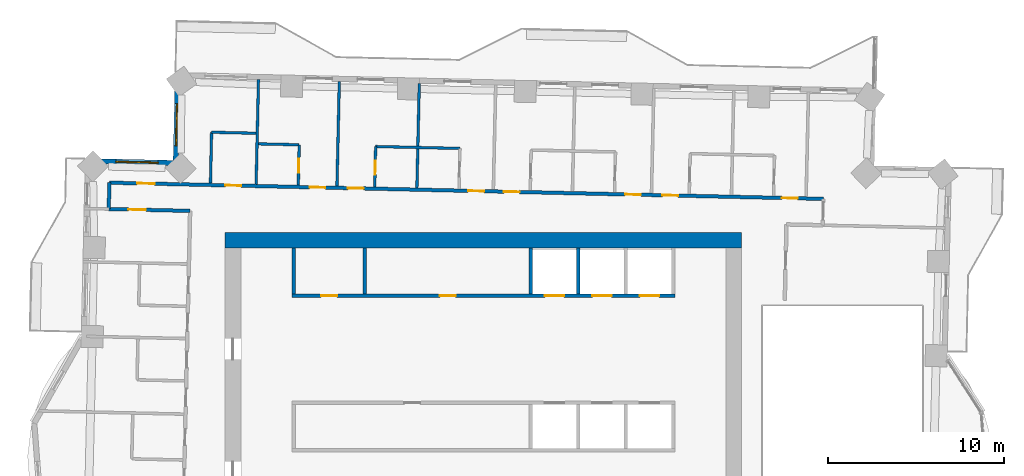
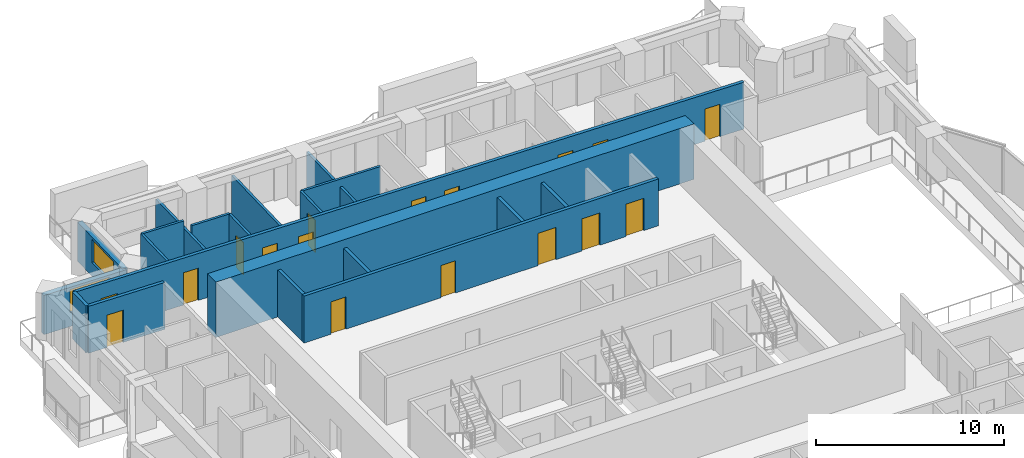
# One storey, part 8 of 14: 20 walls, 17 doors, 2 windows, 19 openings.
"""IFC4 building model written with IfcOpenShell, lengths in metres."""

from ifc_helpers import new_model, si_unit, direction, frame, frame_2d, origin, place, context, subcontext, project, spatial, rectangle, extrude, material, layer, layer_set, type_object, element, fill, save


model = new_model("IFC4")

# Units and contexts
model_context = context("Model", 3, precision=1e-05, world=origin(), true_north=direction((0.0, 1.0)))
body_context = subcontext(model_context, "Body", "Model", "MODEL_VIEW")
ifc_project = project(units=[si_unit("LENGTHUNIT", "METRE"), si_unit("AREAUNIT", "SQUARE_METRE"), si_unit("VOLUMEUNIT", "CUBIC_METRE"), si_unit("PLANEANGLEUNIT", "RADIAN"), si_unit("MASSUNIT", "GRAM", prefix="KILO")], contexts=[model_context])

# Site, building, storey
site_placement = place(None, origin())
site = spatial("IfcSite", under=ifc_project, at=site_placement, CompositionType="ELEMENT")
building_placement = place(site_placement, origin())
building = spatial("IfcBuilding", under=site, at=building_placement, Name="Mangrove Gate Tower", CompositionType="ELEMENT")
storey_placement = place(building_placement, frame((0.0, 0.0, 167.10009765625)))
storey = spatial("IfcBuildingStorey", under=building, at=storey_placement, Name="L42", CompositionType="ELEMENT", Elevation=167.10009765625)

# Walls
ifc_material_1 = material(Name="Concrete C32/40", Category="concrete")
ifc_layer_1 = layer(ifc_material_1, 0.199951171875)
ifc_layer_set_1 = layer_set([ifc_layer_1], Name="Core room wall 200 C32/40")
wall_type_1 = type_object("IfcWallType", Name="Core room wall 200 C32/40", PredefinedType="STANDARD", material=ifc_layer_set_1)
for number, where, z_axis, x_axis, name in (
    (1, (-10.800048828125, 8.199951171875, 0.0), (0.0, 0.0, 1.0), (0.0, 1.0, 0.0), "WALL-L42-CORE-24"),
    (2, (-6.75, 8.199951171875, 0.0), (0.0, 0.0, 1.0), (0.0, 1.0, 0.0), "WALL-L42-CORE-25"),
):
    element("IfcWall", number, at=place(storey_placement, frame(where, z_axis=z_axis, x_axis=x_axis)), inside=storey, type_object=wall_type_1, Name=name, PredefinedType="STANDARD", context=body_context, shape_type="SweptSolid", body=[
        extrude(rectangle(XDim=2.60009765625, YDim=0.199951171875, at=frame_2d((1.300048828125, 0.0))), origin(), (0.0, 0.0, 1.0), 3.0498046875),
    ])

# Wall, openings, doors
ifc_material_2 = material(Name="Concrete C60/75", Category="concrete")
ifc_layer_2 = layer(ifc_material_2, 0.199951171875)
ifc_layer_set_2 = layer_set([ifc_layer_2], Name="Core shaft wall 200 C60/75")
wall_type_2 = type_object("IfcWallType", Name="Core shaft wall 200 C60/75", PredefinedType="SHEAR", material=ifc_layer_set_2)
wall_1_placement = place(storey_placement, frame((-10.89990234375, 8.10009765625, 0.0), z_axis=(0.0, 0.0, 1.0), x_axis=(1.0, 0.0, 0.0)))
wall_1 = element("IfcWall", 3, at=wall_1_placement, inside=storey, type_object=wall_type_2, Name="WALL-L42-CORE-8", PredefinedType="SHEAR", context=body_context, shape_type="SweptSolid", body=[
    extrude(rectangle(XDim=21.7998046875, YDim=0.199951171875, at=frame_2d((10.89990234375, 0.0))), origin(), (0.0, 0.0, 1.0), 3.0498046875),
])
opening_1_placement = place(wall_1_placement, frame((14.39990234375, 0.0, 0.0)))
opening_1 = element("IfcOpeningElement", 4, at=opening_1_placement, cuts=wall_1, Name="Opening LD", PredefinedType="OPENING", context=body_context, shape_type="SweptSolid", body=[
    extrude(rectangle(XDim=1.10009765625, YDim=2.10009765625, at=frame_2d((0.550048828125, 1.050048828125))), frame((0.0, 0.10986328125, 0.0), z_axis=(0.0, -1.0, 0.0), x_axis=(1.0, 0.0, 0.0)), (0.0, 0.0, 1.0), 0.219970703125),
])
opening_2_placement = place(wall_1_placement, frame((17.10009765625, 0.0, 0.0)))
opening_2 = element("IfcOpeningElement", 5, at=opening_2_placement, cuts=wall_1, Name="Opening LD", PredefinedType="OPENING", context=body_context, shape_type="SweptSolid", body=[
    extrude(rectangle(XDim=1.10009765625, YDim=2.10009765625, at=frame_2d((0.550048828125, 1.050048828125))), frame((0.0, 0.10986328125, 0.0), z_axis=(0.0, -1.0, 0.0), x_axis=(1.0, 0.0, 0.0)), (0.0, 0.0, 1.0), 0.219970703125),
])
opening_3_placement = place(wall_1_placement, frame((19.800048828125, 0.0, 0.0)))
opening_3 = element("IfcOpeningElement", 6, at=opening_3_placement, cuts=wall_1, Name="Opening LD", PredefinedType="OPENING", context=body_context, shape_type="SweptSolid", body=[
    extrude(rectangle(XDim=1.10009765625, YDim=2.10009765625, at=frame_2d((0.550048828125, 1.050048828125))), frame((0.0, 0.10986328125, 0.0), z_axis=(0.0, -1.0, 0.0), x_axis=(1.0, 0.0, 0.0)), (0.0, 0.0, 1.0), 0.219970703125),
])
opening_4_placement = place(wall_1_placement, frame((1.675048828125, 0.0, 0.0)))
opening_4 = element("IfcOpeningElement", 7, at=opening_4_placement, cuts=wall_1, Name="Opening KD", PredefinedType="OPENING", context=body_context, shape_type="SweptSolid", body=[
    extrude(rectangle(XDim=0.89990234375, YDim=2.10009765625, at=frame_2d((0.449951171875, 1.050048828125))), frame((0.0, 0.10986328125, 0.0), z_axis=(0.0, -1.0, 0.0), x_axis=(1.0, 0.0, 0.0)), (0.0, 0.0, 1.0), 0.219970703125),
])
opening_5_placement = place(wall_1_placement, frame((8.425048828125, 0.0, 0.0)))
opening_5 = element("IfcOpeningElement", 8, at=opening_5_placement, cuts=wall_1, Name="Opening RD", PredefinedType="OPENING", context=body_context, shape_type="SweptSolid", body=[
    extrude(rectangle(XDim=0.89990234375, YDim=2.10009765625, at=frame_2d((0.449951171875, 1.050048828125))), frame((0.0, 0.10986328125, 0.0), z_axis=(0.0, -1.0, 0.0), x_axis=(1.0, 0.0, 0.0)), (0.0, 0.0, 1.0), 0.219970703125),
])
ifc_material_3 = material(Name="Fire-rated steel door set", Category="steel")
door_type_1 = type_object("IfcDoorType", Name="Core room door FD30S 900x2100", OperationType="SINGLE_SWING_RIGHT", PredefinedType="DOOR", material=ifc_material_3)
door_1_placement = place(opening_4_placement, origin())
door_1 = element("IfcDoor", 9, at=door_1_placement, inside=storey, type_object=door_type_1, Name="Core room door Linen store", OperationType="SINGLE_SWING_RIGHT", OverallHeight=2.10009765625, OverallWidth=0.89990234375, PredefinedType="DOOR", context=body_context, shape_type="SweptSolid", body=[
    extrude(rectangle(XDim=0.89990234375, YDim=2.10009765625, at=frame_2d((0.449951171875, 1.050048828125))), frame((0.0, 0.02490234375, 0.0), z_axis=(0.0, -1.0, 0.0), x_axis=(1.0, 0.0, 0.0)), (0.0, 0.0, 1.0), 0.050048828125),
])
fill(opening_4, door_1)
ifc_material_4 = material(Name="Stainless steel 316", Category="steel")
door_type_2 = type_object("IfcDoorType", Name="Lift landing door 1100x2100", OperationType="SLIDING_TO_LEFT", PredefinedType="DOOR", material=ifc_material_4)
door_2_placement = place(opening_1_placement, origin())
door_2 = element("IfcDoor", 10, at=door_2_placement, inside=storey, type_object=door_type_2, Name="Landing door LD M04", OperationType="SLIDING_TO_LEFT", OverallHeight=2.10009765625, OverallWidth=1.10009765625, PredefinedType="DOOR", context=body_context, shape_type="SweptSolid", body=[
    extrude(rectangle(XDim=1.10009765625, YDim=2.10009765625, at=frame_2d((0.550048828125, 1.050048828125))), frame((0.0, 0.02490234375, 0.0), z_axis=(0.0, -1.0, 0.0), x_axis=(1.0, 0.0, 0.0)), (0.0, 0.0, 1.0), 0.050048828125),
])
fill(opening_1, door_2)
door_3_placement = place(opening_2_placement, origin())
door_3 = element("IfcDoor", 11, at=door_3_placement, inside=storey, type_object=door_type_2, Name="Landing door LD M05", OperationType="SLIDING_TO_LEFT", OverallHeight=2.10009765625, OverallWidth=1.10009765625, PredefinedType="DOOR", context=body_context, shape_type="SweptSolid", body=[
    extrude(rectangle(XDim=1.10009765625, YDim=2.10009765625, at=frame_2d((0.550048828125, 1.050048828125))), frame((0.0, 0.02490234375, 0.0), z_axis=(0.0, -1.0, 0.0), x_axis=(1.0, 0.0, 0.0)), (0.0, 0.0, 1.0), 0.050048828125),
])
fill(opening_2, door_3)
door_4_placement = place(opening_3_placement, origin())
door_4 = element("IfcDoor", 12, at=door_4_placement, inside=storey, type_object=door_type_2, Name="Landing door LD M06", OperationType="SLIDING_TO_LEFT", OverallHeight=2.10009765625, OverallWidth=1.10009765625, PredefinedType="DOOR", context=body_context, shape_type="SweptSolid", body=[
    extrude(rectangle(XDim=1.10009765625, YDim=2.10009765625, at=frame_2d((0.550048828125, 1.050048828125))), frame((0.0, 0.02490234375, 0.0), z_axis=(0.0, -1.0, 0.0), x_axis=(1.0, 0.0, 0.0)), (0.0, 0.0, 1.0), 0.050048828125),
])
fill(opening_3, door_4)
ifc_material_5 = material(Name="Fire-rated steel door set", Category="steel")
door_type_3 = type_object("IfcDoorType", Name="Riser door FD30S 900x2100", OperationType="SINGLE_SWING_LEFT", PredefinedType="DOOR", material=ifc_material_5)
door_5_placement = place(opening_5_placement, origin())
door_5 = element("IfcDoor", 13, at=door_5_placement, inside=storey, type_object=door_type_3, Name="Riser door Switch room", OperationType="SINGLE_SWING_LEFT", OverallHeight=2.10009765625, OverallWidth=0.89990234375, PredefinedType="DOOR", context=body_context, shape_type="SweptSolid", body=[
    extrude(rectangle(XDim=0.89990234375, YDim=2.10009765625, at=frame_2d((0.449951171875, 1.050048828125))), frame((0.0, 0.02490234375, 0.0), z_axis=(0.0, -1.0, 0.0), x_axis=(1.0, 0.0, 0.0)), (0.0, 0.0, 1.0), 0.050048828125),
])
fill(opening_5, door_5)

# Walls
for number, where, z_axis, x_axis, name in (
    (14, (2.699951171875, 8.199951171875, 0.0), (0.0, 0.0, 1.0), (0.0, 1.0, 0.0), "WALL-L42-CORE-26"),
    (15, (5.39990234375, 8.199951171875, 0.0), (0.0, 0.0, 1.0), (0.0, 1.0, 0.0), "WALL-L42-CORE-27"),
):
    element("IfcWall", number, at=place(storey_placement, frame(where, z_axis=z_axis, x_axis=x_axis)), inside=storey, type_object=wall_type_2, Name=name, PredefinedType="SHEAR", context=body_context, shape_type="SweptSolid", body=[
        extrude(rectangle(XDim=2.60009765625, YDim=0.199951171875, at=frame_2d((1.300048828125, 0.0))), origin(), (0.0, 0.0, 1.0), 3.0498046875),
    ])
ifc_material_6 = material(Name="Concrete C60/75", Category="concrete")
ifc_layer_3 = layer(ifc_material_6, 0.89990234375)
ifc_layer_set_3 = layer_set([ifc_layer_3], Name="Core wall 900 C60/75")
wall_type_3 = type_object("IfcWallType", Name="Core wall 900 C60/75", PredefinedType="SHEAR", material=ifc_layer_set_3)
wall_2_placement = place(storey_placement, frame((-14.699951171875, 11.25, 0.0), z_axis=(0.0, 0.0, 1.0), x_axis=(1.0, 0.0, 0.0)))
element("IfcWall", 16, at=wall_2_placement, inside=storey, type_object=wall_type_3, Name="WALL-L42-CORE-2", PredefinedType="SHEAR", context=body_context, shape_type="SweptSolid", body=[
    extrude(rectangle(XDim=29.39990234375, YDim=0.89990234375, at=frame_2d((14.699951171875, 0.0))), origin(), (0.0, 0.0, 1.0), 3.599853515625),
])

# Wall, opening, door
ifc_material_7 = material(Name="Gypsum board on steel stud, EI 60", Category="steel")
ifc_layer_4 = layer(ifc_material_7, 0.199951171875)
ifc_layer_set_4 = layer_set([ifc_layer_4], Name="Corridor wall EI 60")
wall_type_4 = type_object("IfcWallType", Name="Corridor wall EI 60", PredefinedType="PARTITIONING", material=ifc_layer_set_4)
wall_3_placement = place(storey_placement, frame((-21.31298828125, 13.02392578125, 0.0), z_axis=(0.0, 0.0, 1.0), x_axis=(0.999738699021, -0.022858995594, 0.0)))
wall_3 = element("IfcWall", 17, at=wall_3_placement, inside=storey, type_object=wall_type_4, Name="WALL-L42-052", PredefinedType="PARTITIONING", context=body_context, shape_type="SweptSolid", body=[
    extrude(rectangle(XDim=4.63525390625, YDim=0.199951171875, at=frame_2d((2.317626953125, 0.0))), origin(), (0.0, 0.0, 1.0), 3.0498046875),
])
opening_6_placement = place(wall_3_placement, frame((1.116943359375, 0.0, 0.0)))
opening_6 = element("IfcOpeningElement", 18, at=opening_6_placement, cuts=wall_3, Name="Opening AD", PredefinedType="OPENING", context=body_context, shape_type="SweptSolid", body=[
    extrude(rectangle(XDim=1.0, YDim=2.10009765625, at=frame_2d((0.5, 1.050048828125))), frame((0.0, 0.10986328125, 0.0), z_axis=(0.0, -1.0, 0.0), x_axis=(1.0, 0.0, 0.0)), (0.0, 0.0, 1.0), 0.219970703125),
])
ifc_material_8 = material(Name="Timber door leaf", Category="wood")
door_type_4 = type_object("IfcDoorType", Name="Amenity door 1000", OperationType="SINGLE_SWING_LEFT", PredefinedType="DOOR", material=ifc_material_8)
door_6_placement = place(opening_6_placement, origin())
door_6 = element("IfcDoor", 19, at=door_6_placement, inside=storey, type_object=door_type_4, Name="DOOR-L42-STU-c5a", OperationType="SINGLE_SWING_RIGHT", OverallHeight=2.10009765625, OverallWidth=1.0, PredefinedType="DOOR", context=body_context, shape_type="SweptSolid", body=[
    extrude(rectangle(XDim=1.0, YDim=2.10009765625, at=frame_2d((0.5, 1.050048828125))), frame((0.0, 0.02490234375, 0.0), z_axis=(0.0, -1.0, 0.0), x_axis=(1.0, 0.0, 0.0)), (0.0, 0.0, 1.0), 0.050048828125),
])
fill(opening_6, door_6)

# Wall
wall_4_placement = place(storey_placement, frame((-21.31298828125, 13.02392578125, 0.0), z_axis=(0.0, 0.0, 1.0), x_axis=(0.022632637625, 0.99974384905, 0.0)))
element("IfcWall", 20, at=wall_4_placement, inside=storey, type_object=wall_type_4, Name="WALL-L42-053", PredefinedType="PARTITIONING", context=body_context, shape_type="SweptSolid", body=[
    extrude(rectangle(XDim=1.49951171875, YDim=0.199951171875, at=frame_2d((0.749755859375, 0.0))), origin(), (0.0, 0.0, 1.0), 3.0498046875),
])

# Wall, openings, doors
wall_5_placement = place(storey_placement, frame((-21.279052734375, 14.52294921875, 0.0), z_axis=(0.0, 0.0, 1.0), x_axis=(0.999742669174, -0.02268469602, 0.0)))
wall_5 = element("IfcWall", 21, at=wall_5_placement, inside=storey, type_object=wall_type_4, Name="WALL-L42-057", PredefinedType="PARTITIONING", context=body_context, shape_type="SweptSolid", body=[
    extrude(rectangle(XDim=40.638671875, YDim=0.199951171875, at=frame_2d((20.3193359375, 0.0))), origin(), (0.0, 0.0, 1.0), 3.0498046875),
])
opening_7_placement = place(wall_5_placement, frame((38.27490234375, 0.0, 0.0)))
opening_7 = element("IfcOpeningElement", 22, at=opening_7_placement, cuts=wall_5, Name="Opening BD", PredefinedType="OPENING", context=body_context, shape_type="SweptSolid", body=[
    extrude(rectangle(XDim=0.89990234375, YDim=2.10009765625, at=frame_2d((0.449951171875, 1.050048828125))), frame((0.0, 0.10986328125, 0.0), z_axis=(0.0, -1.0, 0.0), x_axis=(1.0, 0.0, 0.0)), (0.0, 0.0, 1.0), 0.219970703125),
])
opening_8_placement = place(wall_5_placement, frame((31.47509765625, 0.0, 0.0)))
opening_8 = element("IfcOpeningElement", 23, at=opening_8_placement, cuts=wall_5, Name="Opening BD", PredefinedType="OPENING", context=body_context, shape_type="SweptSolid", body=[
    extrude(rectangle(XDim=0.89990234375, YDim=2.10009765625, at=frame_2d((0.449951171875, 1.050048828125))), frame((0.0, 0.10986328125, 0.0), z_axis=(0.0, -1.0, 0.0), x_axis=(1.0, 0.0, 0.0)), (0.0, 0.0, 1.0), 0.219970703125),
])
opening_9_placement = place(wall_5_placement, frame((29.35009765625, 0.0, 0.0)))
opening_9 = element("IfcOpeningElement", 24, at=opening_9_placement, cuts=wall_5, Name="Opening BD", PredefinedType="OPENING", context=body_context, shape_type="SweptSolid", body=[
    extrude(rectangle(XDim=0.89990234375, YDim=2.10009765625, at=frame_2d((0.449951171875, 1.050048828125))), frame((0.0, 0.10986328125, 0.0), z_axis=(0.0, -1.0, 0.0), x_axis=(1.0, 0.0, 0.0)), (0.0, 0.0, 1.0), 0.219970703125),
])
opening_10_placement = place(wall_5_placement, frame((22.449951171875, 0.0, 0.0)))
opening_10 = element("IfcOpeningElement", 25, at=opening_10_placement, cuts=wall_5, Name="Opening BD", PredefinedType="OPENING", context=body_context, shape_type="SweptSolid", body=[
    extrude(rectangle(XDim=0.89990234375, YDim=2.10009765625, at=frame_2d((0.449951171875, 1.050048828125))), frame((0.0, 0.10986328125, 0.0), z_axis=(0.0, -1.0, 0.0), x_axis=(1.0, 0.0, 0.0)), (0.0, 0.0, 1.0), 0.219970703125),
])
opening_11_placement = place(wall_5_placement, frame((20.425048828125, 0.0, 0.0)))
opening_11 = element("IfcOpeningElement", 26, at=opening_11_placement, cuts=wall_5, Name="Opening BD", PredefinedType="OPENING", context=body_context, shape_type="SweptSolid", body=[
    extrude(rectangle(XDim=0.89990234375, YDim=2.10009765625, at=frame_2d((0.449951171875, 1.050048828125))), frame((0.0, 0.10986328125, 0.0), z_axis=(0.0, -1.0, 0.0), x_axis=(1.0, 0.0, 0.0)), (0.0, 0.0, 1.0), 0.219970703125),
])
opening_12_placement = place(wall_5_placement, frame((13.574951171875, 0.0, 0.0)))
opening_12 = element("IfcOpeningElement", 27, at=opening_12_placement, cuts=wall_5, Name="Opening BD", PredefinedType="OPENING", context=body_context, shape_type="SweptSolid", body=[
    extrude(rectangle(XDim=0.89990234375, YDim=2.10009765625, at=frame_2d((0.449951171875, 1.050048828125))), frame((0.0, 0.10986328125, 0.0), z_axis=(0.0, -1.0, 0.0), x_axis=(1.0, 0.0, 0.0)), (0.0, 0.0, 1.0), 0.219970703125),
])
opening_13_placement = place(wall_5_placement, frame((11.39990234375, 0.0, 0.0)))
opening_13 = element("IfcOpeningElement", 28, at=opening_13_placement, cuts=wall_5, Name="Opening BD", PredefinedType="OPENING", context=body_context, shape_type="SweptSolid", body=[
    extrude(rectangle(XDim=0.89990234375, YDim=2.10009765625, at=frame_2d((0.449951171875, 1.050048828125))), frame((0.0, 0.10986328125, 0.0), z_axis=(0.0, -1.0, 0.0), x_axis=(1.0, 0.0, 0.0)), (0.0, 0.0, 1.0), 0.219970703125),
])
opening_14_placement = place(wall_5_placement, frame((1.574951171875, 0.0, 0.0)))
opening_14 = element("IfcOpeningElement", 29, at=opening_14_placement, cuts=wall_5, Name="Opening AD", PredefinedType="OPENING", context=body_context, shape_type="SweptSolid", body=[
    extrude(rectangle(XDim=1.0, YDim=2.10009765625, at=frame_2d((0.5, 1.050048828125))), frame((0.0, 0.10986328125, 0.0), z_axis=(0.0, -1.0, 0.0), x_axis=(1.0, 0.0, 0.0)), (0.0, 0.0, 1.0), 0.219970703125),
])
opening_15_placement = place(wall_5_placement, frame((6.60009765625, 0.0, 0.0)))
opening_15 = element("IfcOpeningElement", 30, at=opening_15_placement, cuts=wall_5, Name="Opening SD", PredefinedType="OPENING", context=body_context, shape_type="SweptSolid", body=[
    extrude(rectangle(XDim=0.89990234375, YDim=2.10009765625, at=frame_2d((0.449951171875, 1.050048828125))), frame((0.0, 0.10986328125, 0.0), z_axis=(0.0, -1.0, 0.0), x_axis=(1.0, 0.0, 0.0)), (0.0, 0.0, 1.0), 0.219970703125),
])
door_7_placement = place(opening_14_placement, origin())
door_7 = element("IfcDoor", 31, at=door_7_placement, inside=storey, type_object=door_type_4, Name="DOOR-L42-KIT-c5a", OperationType="SINGLE_SWING_LEFT", OverallHeight=2.10009765625, OverallWidth=1.0, PredefinedType="DOOR", context=body_context, shape_type="SweptSolid", body=[
    extrude(rectangle(XDim=1.0, YDim=2.10009765625, at=frame_2d((0.5, 1.050048828125))), frame((0.0, 0.02490234375, 0.0), z_axis=(0.0, -1.0, 0.0), x_axis=(1.0, 0.0, 0.0)), (0.0, 0.0, 1.0), 0.050048828125),
])
fill(opening_14, door_7)
ifc_material_9 = material(Name="Timber door leaf", Category="wood")
door_type_5 = type_object("IfcDoorType", Name="Bedroom door 900", OperationType="SINGLE_SWING_LEFT", PredefinedType="DOOR", material=ifc_material_9)
door_8_placement = place(opening_7_placement, origin())
door_8 = element("IfcDoor", 32, at=door_8_placement, inside=storey, type_object=door_type_5, Name="DOOR-L42-BED-c308", OperationType="SINGLE_SWING_RIGHT", OverallHeight=2.10009765625, OverallWidth=0.89990234375, PredefinedType="DOOR", context=body_context, shape_type="SweptSolid", body=[
    extrude(rectangle(XDim=0.89990234375, YDim=2.10009765625, at=frame_2d((0.449951171875, 1.050048828125))), frame((0.0, 0.02490234375, 0.0), z_axis=(0.0, -1.0, 0.0), x_axis=(1.0, 0.0, 0.0)), (0.0, 0.0, 1.0), 0.050048828125),
])
fill(opening_7, door_8)
door_9_placement = place(opening_8_placement, origin())
door_9 = element("IfcDoor", 33, at=door_9_placement, inside=storey, type_object=door_type_5, Name="DOOR-L42-BED-c309", OperationType="SINGLE_SWING_LEFT", OverallHeight=2.10009765625, OverallWidth=0.89990234375, PredefinedType="DOOR", context=body_context, shape_type="SweptSolid", body=[
    extrude(rectangle(XDim=0.89990234375, YDim=2.10009765625, at=frame_2d((0.449951171875, 1.050048828125))), frame((0.0, 0.02490234375, 0.0), z_axis=(0.0, -1.0, 0.0), x_axis=(1.0, 0.0, 0.0)), (0.0, 0.0, 1.0), 0.050048828125),
])
fill(opening_8, door_9)
door_10_placement = place(opening_9_placement, origin())
door_10 = element("IfcDoor", 34, at=door_10_placement, inside=storey, type_object=door_type_5, Name="DOOR-L42-BED-c410", OperationType="SINGLE_SWING_RIGHT", OverallHeight=2.10009765625, OverallWidth=0.89990234375, PredefinedType="DOOR", context=body_context, shape_type="SweptSolid", body=[
    extrude(rectangle(XDim=0.89990234375, YDim=2.10009765625, at=frame_2d((0.449951171875, 1.050048828125))), frame((0.0, 0.02490234375, 0.0), z_axis=(0.0, -1.0, 0.0), x_axis=(1.0, 0.0, 0.0)), (0.0, 0.0, 1.0), 0.050048828125),
])
fill(opening_9, door_10)
door_11_placement = place(opening_10_placement, origin())
door_11 = element("IfcDoor", 35, at=door_11_placement, inside=storey, type_object=door_type_5, Name="DOOR-L42-BED-c411", OperationType="SINGLE_SWING_LEFT", OverallHeight=2.10009765625, OverallWidth=0.89990234375, PredefinedType="DOOR", context=body_context, shape_type="SweptSolid", body=[
    extrude(rectangle(XDim=0.89990234375, YDim=2.10009765625, at=frame_2d((0.449951171875, 1.050048828125))), frame((0.0, 0.02490234375, 0.0), z_axis=(0.0, -1.0, 0.0), x_axis=(1.0, 0.0, 0.0)), (0.0, 0.0, 1.0), 0.050048828125),
])
fill(opening_10, door_11)
door_12_placement = place(opening_11_placement, origin())
door_12 = element("IfcDoor", 36, at=door_12_placement, inside=storey, type_object=door_type_5, Name="DOOR-L42-BED-c412", OperationType="SINGLE_SWING_RIGHT", OverallHeight=2.10009765625, OverallWidth=0.89990234375, PredefinedType="DOOR", context=body_context, shape_type="SweptSolid", body=[
    extrude(rectangle(XDim=0.89990234375, YDim=2.10009765625, at=frame_2d((0.449951171875, 1.050048828125))), frame((0.0, 0.02490234375, 0.0), z_axis=(0.0, -1.0, 0.0), x_axis=(1.0, 0.0, 0.0)), (0.0, 0.0, 1.0), 0.050048828125),
])
fill(opening_11, door_12)
door_13_placement = place(opening_12_placement, origin())
door_13 = element("IfcDoor", 37, at=door_13_placement, inside=storey, type_object=door_type_5, Name="DOOR-L42-BED-c513", OperationType="SINGLE_SWING_LEFT", OverallHeight=2.10009765625, OverallWidth=0.89990234375, PredefinedType="DOOR", context=body_context, shape_type="SweptSolid", body=[
    extrude(rectangle(XDim=0.89990234375, YDim=2.10009765625, at=frame_2d((0.449951171875, 1.050048828125))), frame((0.0, 0.02490234375, 0.0), z_axis=(0.0, -1.0, 0.0), x_axis=(1.0, 0.0, 0.0)), (0.0, 0.0, 1.0), 0.050048828125),
])
fill(opening_12, door_13)
door_14_placement = place(opening_13_placement, origin())
door_14 = element("IfcDoor", 38, at=door_14_placement, inside=storey, type_object=door_type_5, Name="DOOR-L42-BED-c514", OperationType="SINGLE_SWING_RIGHT", OverallHeight=2.10009765625, OverallWidth=0.89990234375, PredefinedType="DOOR", context=body_context, shape_type="SweptSolid", body=[
    extrude(rectangle(XDim=0.89990234375, YDim=2.10009765625, at=frame_2d((0.449951171875, 1.050048828125))), frame((0.0, 0.02490234375, 0.0), z_axis=(0.0, -1.0, 0.0), x_axis=(1.0, 0.0, 0.0)), (0.0, 0.0, 1.0), 0.050048828125),
])
fill(opening_13, door_14)
ifc_material_10 = material(Name="Timber door leaf", Category="wood")
door_type_6 = type_object("IfcDoorType", Name="Service room door 900", OperationType="SINGLE_SWING_LEFT", PredefinedType="DOOR", material=ifc_material_10)
door_15_placement = place(opening_15_placement, origin())
door_15 = element("IfcDoor", 39, at=door_15_placement, inside=storey, type_object=door_type_6, Name="DOOR-L42-AWC-c5a", OperationType="SINGLE_SWING_LEFT", OverallHeight=2.10009765625, OverallWidth=0.89990234375, PredefinedType="DOOR", context=body_context, shape_type="SweptSolid", body=[
    extrude(rectangle(XDim=0.89990234375, YDim=2.10009765625, at=frame_2d((0.449951171875, 1.050048828125))), frame((0.0, 0.02490234375, 0.0), z_axis=(0.0, -1.0, 0.0), x_axis=(1.0, 0.0, 0.0)), (0.0, 0.0, 1.0), 0.050048828125),
])
fill(opening_15, door_15)

# Wall, opening, window
ifc_material_11 = material(Name="Limestone", Category="masonry")
ifc_layer_5 = layer(ifc_material_11, 0.0400390625, Name="Limestone cladding")
ifc_material_12 = material(Name="Ventilated air gap")
ifc_layer_6 = layer(ifc_material_12, 0.0400390625, Name="Ventilated cavity")
ifc_material_13 = material(Name="Mineral wool insulation")
ifc_layer_7 = layer(ifc_material_13, 0.06005859375, Name="Insulation")
ifc_material_14 = material(Name="Breather membrane")
ifc_layer_8 = layer(ifc_material_14, 0.001953125, Name="Breather membrane")
ifc_material_15 = material(Name="Concrete C20/25 blockwork", Category="masonry")
ifc_layer_9 = layer(ifc_material_15, 0.14990234375, Name="Blockwork backing wall")
ifc_material_16 = material(Name="Gypsum plaster")
ifc_layer_10 = layer(ifc_material_16, 0.008056640625, Name="Internal plaster")
ifc_layer_set_5 = layer_set([ifc_layer_5, ifc_layer_6, ifc_layer_7, ifc_layer_8, ifc_layer_9, ifc_layer_10], Name="External wall 300 limestone cladding")
wall_type_5 = type_object("IfcWallType", Name="External wall 300 limestone cladding", PredefinedType="SOLIDWALL", material=ifc_layer_set_5)
wall_6_placement = place(storey_placement, frame((-17.388916015625, 20.636962890625, 0.0), z_axis=(0.0, 0.0, 1.0), x_axis=(-0.022801259434, -0.999740017489, 0.0)))
wall_6 = element("IfcWall", 40, at=wall_6_placement, inside=storey, type_object=wall_type_5, Name="WALL-L42-W6", PredefinedType="SOLIDWALL", context=body_context, shape_type="SweptSolid", body=[
    extrude(rectangle(XDim=5.000244140625, YDim=0.300048828125, at=frame_2d((2.5, 0.0))), origin(), (0.0, 0.0, 1.0), 2.5498046875),
])
opening_16_placement = place(wall_6_placement, frame((1.615966796875, 0.0, 0.89990234375)))
opening_16 = element("IfcOpeningElement", 41, at=opening_16_placement, cuts=wall_6, Name="Opening W2", PredefinedType="OPENING", context=body_context, shape_type="SweptSolid", body=[
    extrude(rectangle(XDim=2.39990234375, YDim=1.5, at=frame_2d((1.199951171875, 0.75))), frame((0.0, 0.159912109375, 0.0), z_axis=(0.0, -1.0, 0.0), x_axis=(1.0, 0.0, 0.0)), (0.0, 0.0, 1.0), 0.320068359375),
])
ifc_material_17 = material(Name="Aluminium frame with double-glazed low-e glass", Category="aluminium")
window_type = type_object("IfcWindowType", Name="Corner room window 2400x1500", PartitioningType="DOUBLE_PANEL_VERTICAL", PredefinedType="WINDOW", material=ifc_material_17)
window_1_placement = place(opening_16_placement, origin())
window_1 = element("IfcWindow", 42, at=window_1_placement, inside=storey, type_object=window_type, Name="WIN-L42-W6-1", OverallHeight=1.5, OverallWidth=2.39990234375, PartitioningType="DOUBLE_PANEL_VERTICAL", PredefinedType="WINDOW", context=body_context, shape_type="SweptSolid", body=[
    extrude(rectangle(XDim=2.39990234375, YDim=1.5, at=frame_2d((1.199951171875, 0.75))), frame((0.0, 0.030029296875, 0.0), z_axis=(0.0, -1.0, 0.0), x_axis=(1.0, 0.0, 0.0)), (0.0, 0.0, 1.0), 0.06005859375),
])
fill(opening_16, window_1)

wall_7_placement = place(storey_placement, frame((-17.5029296875, 15.637939453125, 0.0), z_axis=(0.0, 0.0, 1.0), x_axis=(-0.999744350543, 0.022610474516, 0.0)))
wall_7 = element("IfcWall", 43, at=wall_7_placement, inside=storey, type_object=wall_type_5, Name="WALL-L42-N7", PredefinedType="SOLIDWALL", context=body_context, shape_type="SweptSolid", body=[
    extrude(rectangle(XDim=4.999267578125, YDim=0.300048828125, at=frame_2d((2.49951171875, 0.0))), origin(), (0.0, 0.0, 1.0), 2.5498046875),
])
opening_17_placement = place(wall_7_placement, frame((1.007080078125, 0.0, 0.89990234375)))
opening_17 = element("IfcOpeningElement", 44, at=opening_17_placement, cuts=wall_7, Name="Opening W2", PredefinedType="OPENING", context=body_context, shape_type="SweptSolid", body=[
    extrude(rectangle(XDim=2.39990234375, YDim=1.5, at=frame_2d((1.199951171875, 0.75))), frame((0.0, 0.159912109375, 0.0), z_axis=(0.0, -1.0, 0.0), x_axis=(1.0, 0.0, 0.0)), (0.0, 0.0, 1.0), 0.320068359375),
])
window_2_placement = place(opening_17_placement, origin())
window_2 = element("IfcWindow", 45, at=window_2_placement, inside=storey, type_object=window_type, Name="WIN-L42-N7-1", OverallHeight=1.5, OverallWidth=2.39990234375, PartitioningType="DOUBLE_PANEL_VERTICAL", PredefinedType="WINDOW", context=body_context, shape_type="SweptSolid", body=[
    extrude(rectangle(XDim=2.39990234375, YDim=1.5, at=frame_2d((1.199951171875, 0.75))), frame((0.0, 0.030029296875, 0.0), z_axis=(0.0, -1.0, 0.0), x_axis=(1.0, 0.0, 0.0)), (0.0, 0.0, 1.0), 0.06005859375),
])
fill(opening_17, window_2)

# Walls
ifc_material_18 = material(Name="Gypsum board on steel stud, EI 60", Category="steel")
ifc_layer_11 = layer(ifc_material_18, 0.14990234375)
ifc_layer_set_6 = layer_set([ifc_layer_11], Name="Party wall 150 EI 60")
wall_type_6 = type_object("IfcWallType", Name="Party wall 150 EI 60", PredefinedType="PARTITIONING", material=ifc_layer_set_6)
wall_8_placement = place(storey_placement, frame((-15.528076171875, 14.492919921875, 0.0), z_axis=(0.0, 0.0, 1.0), x_axis=(0.022815112345, 0.999739701447, 0.0)))
element("IfcWall", 46, at=wall_8_placement, inside=storey, type_object=wall_type_6, Name="WALL-L42-058", PredefinedType="PARTITIONING", context=body_context, shape_type="SweptSolid", body=[
    extrude(rectangle(XDim=2.89990234375, YDim=0.14990234375, at=frame_2d((1.449951171875, 0.0))), origin(), (0.0, 0.0, 1.0), 3.0498046875),
])
wall_9_placement = place(storey_placement, frame((-12.928955078125, 14.43408203125, 0.0), z_axis=(0.0, 0.0, 1.0), x_axis=(0.022688785847, 0.999742576365, 0.0)))
element("IfcWall", 47, at=wall_9_placement, inside=storey, type_object=wall_type_6, Name="WALL-L42-059", PredefinedType="PARTITIONING", context=body_context, shape_type="SweptSolid", body=[
    extrude(rectangle(XDim=5.950439453125, YDim=0.14990234375, at=frame_2d((2.97509765625, 0.0))), origin(), (0.0, 0.0, 1.0), 2.5498046875),
])

# Wall, opening, door
wall_10_placement = place(storey_placement, frame((-10.529052734375, 14.37890625, 0.0), z_axis=(0.0, 0.0, 1.0), x_axis=(0.022603288534, 0.999744513037, 0.0)))
wall_10 = element("IfcWall", 48, at=wall_10_placement, inside=storey, type_object=wall_type_6, Name="WALL-L42-060", PredefinedType="PARTITIONING", context=body_context, shape_type="SweptSolid", body=[
    extrude(rectangle(XDim=2.300537109375, YDim=0.14990234375, at=frame_2d((1.150390625, 0.0))), origin(), (0.0, 0.0, 1.0), 3.0498046875),
])
opening_18_placement = place(wall_10_placement, frame((0.699951171875, 0.0, 0.0)))
opening_18 = element("IfcOpeningElement", 49, at=opening_18_placement, cuts=wall_10, Name="Opening ED", PredefinedType="OPENING", context=body_context, shape_type="SweptSolid", body=[
    extrude(rectangle(XDim=0.800048828125, YDim=2.10009765625, at=frame_2d((0.39990234375, 1.050048828125))), frame((0.0, 0.0849609375, 0.0), z_axis=(0.0, -1.0, 0.0), x_axis=(1.0, 0.0, 0.0)), (0.0, 0.0, 1.0), 0.169921875),
])
ifc_material_19 = material(Name="Timber door leaf", Category="wood")
door_type_7 = type_object("IfcDoorType", Name="En-suite door 800", OperationType="SINGLE_SWING_LEFT", PredefinedType="DOOR", material=ifc_material_19)
door_16_placement = place(opening_18_placement, origin())
door_16 = element("IfcDoor", 50, at=door_16_placement, inside=storey, type_object=door_type_7, Name="DOOR-L42-ENS-c514", OperationType="SINGLE_SWING_RIGHT", OverallHeight=2.10009765625, OverallWidth=0.800048828125, PredefinedType="DOOR", context=body_context, shape_type="SweptSolid", body=[
    extrude(rectangle(XDim=0.800048828125, YDim=2.10009765625, at=frame_2d((0.39990234375, 1.050048828125))), frame((0.0, 0.02490234375, 0.0), z_axis=(0.0, -1.0, 0.0), x_axis=(1.0, 0.0, 0.0)), (0.0, 0.0, 1.0), 0.050048828125),
])
fill(opening_18, door_16)

# Wall
wall_11_placement = place(storey_placement, frame((-8.330078125, 14.3291015625, 0.0), z_axis=(0.0, 0.0, 1.0), x_axis=(0.022688785847, 0.999742576365, 0.0)))
element("IfcWall", 51, at=wall_11_placement, inside=storey, type_object=wall_type_6, Name="WALL-L42-061", PredefinedType="PARTITIONING", context=body_context, shape_type="SweptSolid", body=[
    extrude(rectangle(XDim=5.950439453125, YDim=0.14990234375, at=frame_2d((2.97509765625, 0.0))), origin(), (0.0, 0.0, 1.0), 2.5498046875),
])

# Wall, opening, door
wall_12_placement = place(storey_placement, frame((-6.180908203125, 14.281005859375, 0.0), z_axis=(0.0, 0.0, 1.0), x_axis=(0.023037316498, 0.999734605807, 0.0)))
wall_12 = element("IfcWall", 52, at=wall_12_placement, inside=storey, type_object=wall_type_6, Name="WALL-L42-062", PredefinedType="PARTITIONING", context=body_context, shape_type="SweptSolid", body=[
    extrude(rectangle(XDim=2.299560546875, YDim=0.14990234375, at=frame_2d((1.14990234375, 0.0))), origin(), (0.0, 0.0, 1.0), 3.0498046875),
])
opening_19_placement = place(wall_12_placement, frame((0.699951171875, 0.0, 0.0)))
opening_19 = element("IfcOpeningElement", 53, at=opening_19_placement, cuts=wall_12, Name="Opening ED", PredefinedType="OPENING", context=body_context, shape_type="SweptSolid", body=[
    extrude(rectangle(XDim=0.800048828125, YDim=2.10009765625, at=frame_2d((0.39990234375, 1.050048828125))), frame((0.0, 0.0849609375, 0.0), z_axis=(0.0, -1.0, 0.0), x_axis=(1.0, 0.0, 0.0)), (0.0, 0.0, 1.0), 0.169921875),
])
door_17_placement = place(opening_19_placement, origin())
door_17 = element("IfcDoor", 54, at=door_17_placement, inside=storey, type_object=door_type_7, Name="DOOR-L42-ENS-c513", OperationType="SINGLE_SWING_LEFT", OverallHeight=2.10009765625, OverallWidth=0.800048828125, PredefinedType="DOOR", context=body_context, shape_type="SweptSolid", body=[
    extrude(rectangle(XDim=0.800048828125, YDim=2.10009765625, at=frame_2d((0.39990234375, 1.050048828125))), frame((0.0, 0.02490234375, 0.0), z_axis=(0.0, -1.0, 0.0), x_axis=(1.0, 0.0, 0.0)), (0.0, 0.0, 1.0), 0.050048828125),
])
fill(opening_19, door_17)

# Walls
wall_13_placement = place(storey_placement, frame((-3.781005859375, 14.22607421875, 0.0), z_axis=(0.0, 0.0, 1.0), x_axis=(0.022688785847, 0.999742576365, 0.0)))
element("IfcWall", 55, at=wall_13_placement, inside=storey, type_object=wall_type_6, Name="WALL-L42-063", PredefinedType="PARTITIONING", context=body_context, shape_type="SweptSolid", body=[
    extrude(rectangle(XDim=5.950439453125, YDim=0.14990234375, at=frame_2d((2.97509765625, 0.0))), origin(), (0.0, 0.0, 1.0), 2.5498046875),
])
wall_14_placement = place(storey_placement, frame((-12.802001953125, 16.73095703125, 0.0), z_axis=(0.0, 0.0, 1.0), x_axis=(0.999749954681, -0.022361308448, 0.0)))
element("IfcWall", 56, at=wall_14_placement, inside=storey, type_object=wall_type_6, Name="WALL-L42-074", PredefinedType="PARTITIONING", context=body_context, shape_type="SweptSolid", body=[
    extrude(rectangle(XDim=2.325439453125, YDim=0.14990234375, at=frame_2d((1.16259765625, 0.0))), origin(), (0.0, 0.0, 1.0), 3.0498046875),
])
wall_15_placement = place(storey_placement, frame((-6.1279296875, 16.580078125, 0.0), z_axis=(0.0, 0.0, 1.0), x_axis=(0.999741415159, -0.022739894798, 0.0)))
element("IfcWall", 57, at=wall_15_placement, inside=storey, type_object=wall_type_6, Name="WALL-L42-075", PredefinedType="PARTITIONING", context=body_context, shape_type="SweptSolid", body=[
    extrude(rectangle(XDim=4.799072265625, YDim=0.14990234375, at=frame_2d((2.3994140625, 0.0))), origin(), (0.0, 0.0, 1.0), 3.0498046875),
])
wall_16_placement = place(storey_placement, frame((-15.4619140625, 17.39208984375, 0.0), z_axis=(0.0, 0.0, 1.0), x_axis=(0.99974392816, -0.022629142889, 0.0)))
element("IfcWall", 58, at=wall_16_placement, inside=storey, type_object=wall_type_6, Name="WALL-L42-078", PredefinedType="PARTITIONING", context=body_context, shape_type="SweptSolid", body=[
    extrude(rectangle(XDim=2.524658203125, YDim=0.14990234375, at=frame_2d((1.26220703125, 0.0))), origin(), (0.0, 0.0, 1.0), 3.0498046875),
])

save(model, "model.ifc")
